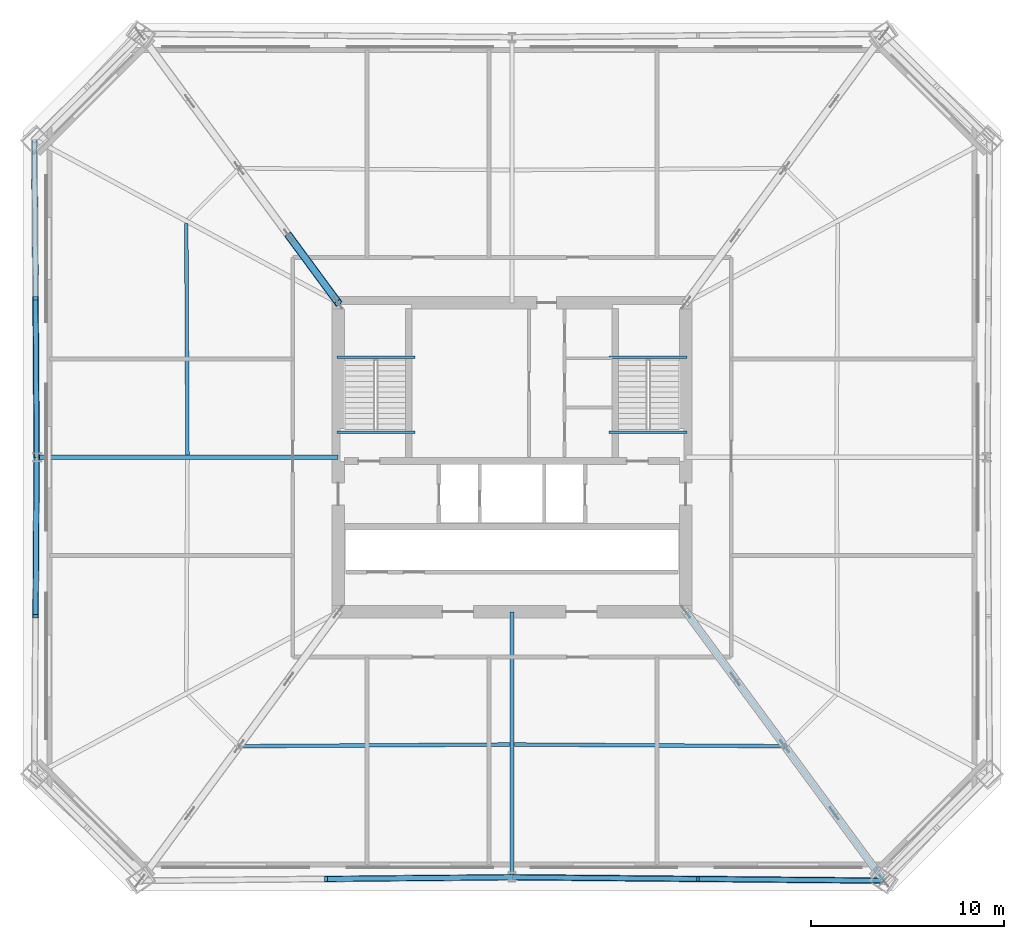
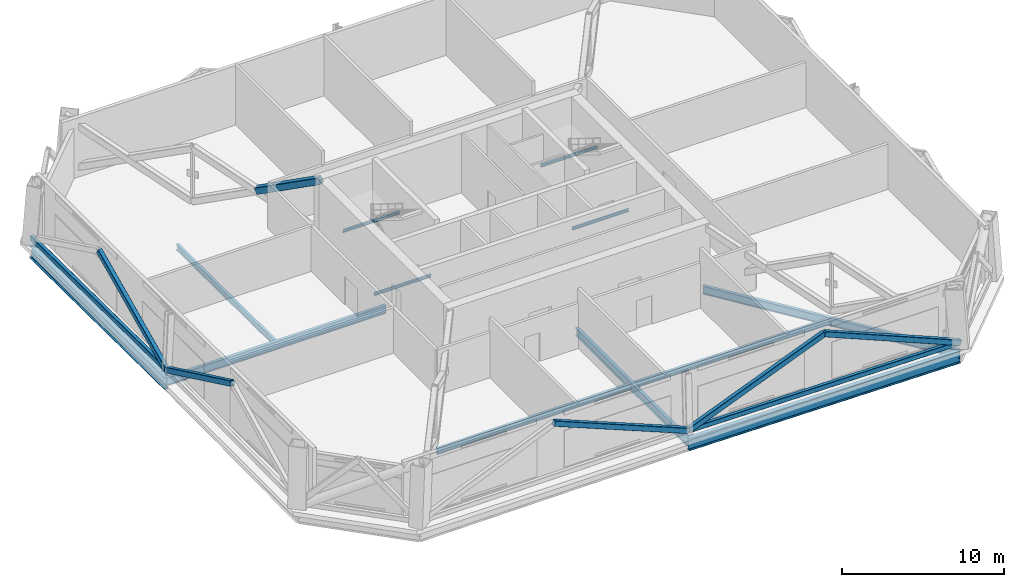
# One storey, part 3 of 14: 12 beams, 8 members.
"""IFC4 building model written with IfcOpenShell, lengths in metres."""

from ifc_helpers import new_model, si_unit, direction, frame, origin, origin_2d, place, context, subcontext, project, spatial, hollow_rectangle, i_section, extrude, material, material_profile, profile_set, type_object, element, save


model = new_model("IFC4")

# Units and contexts
model_context = context("Model", 3, precision=1e-05, world=origin(), true_north=direction((0.0, 1.0)))
body_context = subcontext(model_context, "Body", "Model", "MODEL_VIEW")
ifc_project = project(units=[si_unit("LENGTHUNIT", "METRE"), si_unit("AREAUNIT", "SQUARE_METRE"), si_unit("VOLUMEUNIT", "CUBIC_METRE"), si_unit("PLANEANGLEUNIT", "RADIAN"), si_unit("MASSUNIT", "GRAM", prefix="KILO")], contexts=[model_context])

# Site, building, storey
site_placement = place(None, origin())
site = spatial("IfcSite", under=ifc_project, at=site_placement, CompositionType="ELEMENT")
building_placement = place(site_placement, origin())
building = spatial("IfcBuilding", under=site, at=building_placement, Name="Caelvoria Tower", CompositionType="ELEMENT")
storey_placement = place(building_placement, frame((0.0, 0.0, 85.60009765625)))
storey = spatial("IfcBuildingStorey", under=building, at=storey_placement, Name="L22", CompositionType="ELEMENT", Elevation=85.60009765625)

# Members
ifc_material_1 = material(Name="Structural Steel ASTM A572 Gr.50", Category="steel")
ifc_material_profile_1 = material_profile(ifc_material_1, hollow_rectangle(XDim=0.25, YDim=0.35009765625, WallThickness=0.013916015625, InnerFilletRadius=0.013916015625, OuterFilletRadius=0.028076171875, at=origin_2d()), Name="Structural Steel ASTM A572 Gr.50")
ifc_profile_set_1 = profile_set([ifc_material_profile_1], Name="HSS350X250X14 - Structural Steel ASTM A572 Gr.50")
member_type_1 = type_object("IfcMemberType", Name="Belt Truss Chord Member HSS350X250X14", PredefinedType="CHORD", material=ifc_profile_set_1)
member_1_placement = place(storey_placement, frame((46.0, 10.25341796875, 0.25), z_axis=(0.999956710946, -0.009304635098, 0.0), x_axis=(0.009304635098, 0.999956710946, 0.0)))
element("IfcMember", 1, at=member_1_placement, inside=storey, type_object=member_type_1, Name="Belt Truss Bottom Chord L22-01", PredefinedType="CHORD", context=body_context, shape_type="SweptSolid", body=[
    extrude(hollow_rectangle(XDim=0.25, YDim=0.35009765625, WallThickness=0.013916015625, InnerFilletRadius=0.013916015625, OuterFilletRadius=0.028076171875, at=origin_2d()), origin(), (0.0, 0.0, 1.0), 19.259033203125),
])
member_2_placement = place(storey_placement, frame((21.26611328125, 48.4677734375, 0.25), z_axis=(0.007323530098, -0.999973182594, 0.0), x_axis=(0.999973182594, 0.007323530098, 0.0)))
element("IfcMember", 2, at=member_2_placement, inside=storey, type_object=member_type_1, Name="Belt Truss Bottom Chord L22-09", PredefinedType="CHORD", context=body_context, shape_type="SweptSolid", body=[
    extrude(hollow_rectangle(XDim=0.25, YDim=0.35009765625, WallThickness=0.013916015625, InnerFilletRadius=0.013916015625, OuterFilletRadius=0.028076171875, at=origin_2d()), origin(), (0.0, 0.0, 1.0), 16.46826171875),
])
ifc_material_profile_2 = material_profile(ifc_material_1, hollow_rectangle(XDim=0.300048828125, YDim=0.39990234375, WallThickness=0.01611328125, InnerFilletRadius=0.01611328125, OuterFilletRadius=0.031982421875, at=origin_2d()), Name="Structural Steel ASTM A572 Gr.50")
ifc_profile_set_2 = profile_set([ifc_material_profile_2], Name="HSS400X300X16 - Structural Steel ASTM A572 Gr.50")
member_type_2 = type_object("IfcMemberType", Name="Belt Truss Diagonal HSS400X300X16", PredefinedType="BRACE", material=ifc_profile_set_2)
for number, where, z_axis, x_axis, name in (
    (3, (36.370849609375, 10.163818359375, 4.22998046875), (0.924135026447, 0.00859911145, -0.381969250301), (-0.009304635098, 0.999956710946, 0.0), "Belt Truss Diagonal L22-00B"),
    (4, (46.0, 10.25341796875, 0.25), (0.924135026447, -0.00859911145, 0.381969250301), (0.009304635098, 0.999956710946, 0.0), "Belt Truss Diagonal L22-01A"),
    (5, (55.629150390625, 10.163818359375, 4.22998046875), (0.924135026447, -0.00859911145, -0.381969250301), (0.009304635098, 0.999956710946, 0.0), "Belt Truss Diagonal L22-01B"),
):
    element("IfcMember", number, at=place(storey_placement, frame(where, z_axis=z_axis, x_axis=x_axis)), inside=storey, type_object=member_type_2, Name=name, PredefinedType="BRACE", context=body_context, shape_type="SweptSolid", body=[
        extrude(hollow_rectangle(XDim=0.300048828125, YDim=0.39990234375, WallThickness=0.01611328125, InnerFilletRadius=0.01611328125, OuterFilletRadius=0.031982421875, at=origin_2d()), origin(), (0.0, 0.0, 1.0), 10.419677734375),
    ])
for number, where, z_axis, x_axis, name in (
    (6, (21.326416015625, 40.23388671875, 4.22998046875), (0.006593681882, -0.900317875093, -0.435183004203), (0.999973182594, 0.007323530098, 0.0), "Belt Truss Diagonal L22-09B"),
    (7, (21.38671875, 32.0, 0.25), (-0.006593681882, -0.900317875093, 0.435183004203), (0.999973182594, -0.007323530098, 0.0), "Belt Truss Diagonal L22-10A"),
):
    element("IfcMember", number, at=place(storey_placement, frame(where, z_axis=z_axis, x_axis=x_axis)), inside=storey, type_object=member_type_2, Name=name, PredefinedType="BRACE", context=body_context, shape_type="SweptSolid", body=[
        extrude(hollow_rectangle(XDim=0.300048828125, YDim=0.39990234375, WallThickness=0.01611328125, InnerFilletRadius=0.01611328125, OuterFilletRadius=0.031982421875, at=origin_2d()), origin(), (0.0, 0.0, 1.0), 9.1455078125),
    ])

# Beams
ifc_material_2 = material(Name="Structural Steel ASTM A992 Gr.50", Category="steel")
ifc_material_profile_3 = material_profile(ifc_material_2, i_section(OverallWidth=0.134033203125, OverallDepth=0.2099609375, WebThickness=0.00634765625, FlangeThickness=0.01025390625, FilletRadius=0.010009765625, at=origin_2d()), Name="Structural Steel ASTM A992 Gr.50")
ifc_profile_set_3 = profile_set([ifc_material_profile_3], Name="W200X31.3 - Structural Steel ASTM A992 Gr.50")
beam_type_1 = type_object("IfcBeamType", Name="Canopy Edge Trim Beam W200X31.3", PredefinedType="BEAM", material=ifc_profile_set_3)
for number, where, z_axis, x_axis, name in (
    (8, (36.929931640625, 37.175048828125, 2.094970703125), (1.0, 0.0, 0.0), (0.0, 1.0, 0.0), "ST-01 Half-Landing Support Beam L22"),
    (9, (36.929931640625, 33.300048828125, -0.30517578125), (1.0, 0.0, 0.0), (0.0, 1.0, 0.0), "ST-01 Floor-Landing Support Beam L22"),
    (10, (51.030029296875, 37.175048828125, 2.094970703125), (1.0, 0.0, 0.0), (0.0, 1.0, 0.0), "ST-02 Half-Landing Support Beam L22"),
    (11, (51.030029296875, 33.300048828125, -0.30517578125), (1.0, 0.0, 0.0), (0.0, 1.0, 0.0), "ST-02 Floor-Landing Support Beam L22"),
):
    element("IfcBeam", number, at=place(storey_placement, frame(where, z_axis=z_axis, x_axis=x_axis)), inside=storey, type_object=beam_type_1, Name=name, PredefinedType="BEAM", context=body_context, shape_type="SweptSolid", body=[
        extrude(i_section(OverallWidth=0.134033203125, OverallDepth=0.2099609375, WebThickness=0.00634765625, FlangeThickness=0.01025390625, FilletRadius=0.010009765625, at=origin_2d()), origin(), (0.0, 0.0, 1.0), 4.0400390625),
    ])

# Member
ifc_material_profile_4 = material_profile(ifc_material_1, hollow_rectangle(XDim=0.39990234375, YDim=0.5, WallThickness=0.02197265625, InnerFilletRadius=0.02197265625, OuterFilletRadius=0.0439453125, at=origin_2d()), Name="Structural Steel ASTM A572 Gr.50")
ifc_profile_set_4 = profile_set([ifc_material_profile_4], Name="HSS500X400X22 - Structural Steel ASTM A572 Gr.50")
member_type_3 = type_object("IfcMemberType", Name="Outrigger Diagonal HSS500X400X22", PredefinedType="BRACE", material=ifc_profile_set_4)
member_3_placement = place(storey_placement, frame((37.0, 40.0, 4.22998046875), z_axis=(-0.538758474541, 0.731406687638, -0.418071242001), x_axis=(-0.805146653518, -0.593075767781, 0.0)))
element("IfcMember", 12, at=member_3_placement, inside=storey, type_object=member_type_3, Name="Outrigger Truss Diagonal L22-NW-1B1", PredefinedType="BRACE", context=body_context, shape_type="SweptSolid", body=[
    extrude(hollow_rectangle(XDim=0.39990234375, YDim=0.5, WallThickness=0.02197265625, InnerFilletRadius=0.02197265625, OuterFilletRadius=0.0439453125, at=origin_2d()), origin(), (0.0, 0.0, 1.0), 4.760009765625),
])

# Beams
ifc_material_profile_5 = material_profile(ifc_material_2, i_section(OverallWidth=0.30810546875, OverallDepth=0.927001953125, WebThickness=0.019287109375, FlangeThickness=0.031982421875, FilletRadius=0.02392578125, at=origin_2d()), Name="Structural Steel ASTM A992 Gr.50")
ifc_profile_set_5 = profile_set([ifc_material_profile_5], Name="W920X289 - Structural Steel ASTM A992 Gr.50")
beam_type_2 = type_object("IfcBeamType", Name="Outrigger Tie Girder W920X289", PredefinedType="BEAM", material=ifc_profile_set_5)
beam_1_placement = place(storey_placement, frame((46.0, 10.25341796875, -0.78369140625), z_axis=(0.999956710946, -0.009304635098, 0.0), x_axis=(0.009304635098, 0.999956710946, 0.0)))
element("IfcBeam", 13, at=beam_1_placement, inside=storey, type_object=beam_type_2, Name="Perimeter Spandrel Girder L22-01", PredefinedType="BEAM", context=body_context, shape_type="SweptSolid", body=[
    extrude(i_section(OverallWidth=0.30810546875, OverallDepth=0.927001953125, WebThickness=0.019287109375, FlangeThickness=0.031982421875, FilletRadius=0.02392578125, at=origin_2d()), origin(), (0.0, 0.0, 1.0), 19.259033203125),
])
beam_2_placement = place(storey_placement, frame((21.26611328125, 48.4677734375, -0.78369140625), z_axis=(0.007323530098, -0.999973182594, 0.0), x_axis=(0.999973182594, 0.007323530098, 0.0)))
element("IfcBeam", 14, at=beam_2_placement, inside=storey, type_object=beam_type_2, Name="Perimeter Spandrel Girder L22-09", PredefinedType="BEAM", context=body_context, shape_type="SweptSolid", body=[
    extrude(i_section(OverallWidth=0.30810546875, OverallDepth=0.927001953125, WebThickness=0.019287109375, FlangeThickness=0.031982421875, FilletRadius=0.02392578125, at=origin_2d()), origin(), (0.0, 0.0, 1.0), 16.46826171875),
])
ifc_material_profile_6 = material_profile(ifc_material_2, i_section(OverallWidth=0.22900390625, OverallDepth=0.612060546875, WebThickness=0.011962890625, FlangeThickness=0.01953125, FilletRadius=0.01806640625, at=origin_2d()), Name="Structural Steel ASTM A992 Gr.50")
ifc_profile_set_6 = profile_set([ifc_material_profile_6], Name="W610X125 - Structural Steel ASTM A992 Gr.50")
beam_type_3 = type_object("IfcBeamType", Name="Primary Radial Floor Girder W610X125", PredefinedType="BEAM", material=ifc_profile_set_6)
beam_3_placement = place(storey_placement, frame((46.0, 24.0, -0.6259765625), z_axis=(0.0, -1.0, 0.0), x_axis=(1.0, 0.0, 0.0)))
element("IfcBeam", 15, at=beam_3_placement, inside=storey, type_object=beam_type_3, Name="Primary Floor Girder L22-01", PredefinedType="BEAM", context=body_context, shape_type="SweptSolid", body=[
    extrude(i_section(OverallWidth=0.22900390625, OverallDepth=0.612060546875, WebThickness=0.011962890625, FlangeThickness=0.01953125, FilletRadius=0.01806640625, at=origin_2d()), origin(), (0.0, 0.0, 1.0), 13.74658203125),
])
beam_4_placement = place(storey_placement, frame((55.0, 24.0, -0.6259765625), z_axis=(0.593094068348, -0.805133172892, 0.0), x_axis=(0.805133172892, 0.593094068348, 0.0)))
element("IfcBeam", 16, at=beam_4_placement, inside=storey, type_object=beam_type_3, Name="Primary Floor Girder L22-02", PredefinedType="BEAM", context=body_context, shape_type="SweptSolid", body=[
    extrude(i_section(OverallWidth=0.22900390625, OverallDepth=0.612060546875, WebThickness=0.011962890625, FlangeThickness=0.01953125, FilletRadius=0.01806640625, at=origin_2d()), origin(), (0.0, 0.0, 1.0), 17.296142578125),
])
beam_5_placement = place(storey_placement, frame((37.0, 32.0, -0.6259765625), z_axis=(-1.0, 0.0, 0.0), x_axis=(0.0, -1.0, 0.0)))
element("IfcBeam", 17, at=beam_5_placement, inside=storey, type_object=beam_type_3, Name="Primary Floor Girder L22-10", PredefinedType="BEAM", context=body_context, shape_type="SweptSolid", body=[
    extrude(i_section(OverallWidth=0.22900390625, OverallDepth=0.612060546875, WebThickness=0.011962890625, FlangeThickness=0.01953125, FilletRadius=0.01806640625, at=origin_2d()), origin(), (0.0, 0.0, 1.0), 15.61328125),
])
ifc_material_profile_7 = material_profile(ifc_material_2, i_section(OverallWidth=0.18994140625, OverallDepth=0.45703125, WebThickness=0.009033203125, FlangeThickness=0.014404296875, FilletRadius=0.014892578125, at=origin_2d()), Name="Structural Steel ASTM A992 Gr.50")
ifc_profile_set_7 = profile_set([ifc_material_profile_7], Name="W460X74 - Structural Steel ASTM A992 Gr.50")
beam_type_4 = type_object("IfcBeamType", Name="Secondary Floor Beam W460X74", PredefinedType="BEAM", material=ifc_profile_set_7)
for number, where, z_axis, x_axis, name in (
    (18, (31.995849609375, 17.0380859375, -0.548583984375), (0.999980061143, 0.006314848844, 0.0), (-0.006314848844, 0.999980061143, 0.0), "Secondary Floor Beam L22-00"),
    (19, (46.125, 17.125732421875, -0.548583984375), (0.999980061143, -0.006314848844, 0.0), (0.006314848844, 0.999980061143, 0.0), "Secondary Floor Beam L22-01"),
):
    element("IfcBeam", number, at=place(storey_placement, frame(where, z_axis=z_axis, x_axis=x_axis)), inside=storey, type_object=beam_type_4, Name=name, PredefinedType="BEAM", context=body_context, shape_type="SweptSolid", body=[
        extrude(i_section(OverallWidth=0.18994140625, OverallDepth=0.45703125, WebThickness=0.009033203125, FlangeThickness=0.014404296875, FilletRadius=0.014892578125, at=origin_2d()), origin(), (0.0, 0.0, 1.0), 13.87939453125),
    ])
beam_6_placement = place(storey_placement, frame((29.133544921875, 44.10888671875, -0.548583984375), z_axis=(0.004950434389, -0.999987746525, 0.0), x_axis=(0.999987746525, 0.004950434389, 0.0)))
element("IfcBeam", 20, at=beam_6_placement, inside=storey, type_object=beam_type_4, Name="Secondary Floor Beam L22-09", PredefinedType="BEAM", context=body_context, shape_type="SweptSolid", body=[
    extrude(i_section(OverallWidth=0.18994140625, OverallDepth=0.45703125, WebThickness=0.009033203125, FlangeThickness=0.014404296875, FilletRadius=0.014892578125, at=origin_2d()), origin(), (0.0, 0.0, 1.0), 11.984130859375),
])

save(model, "model.ifc")
